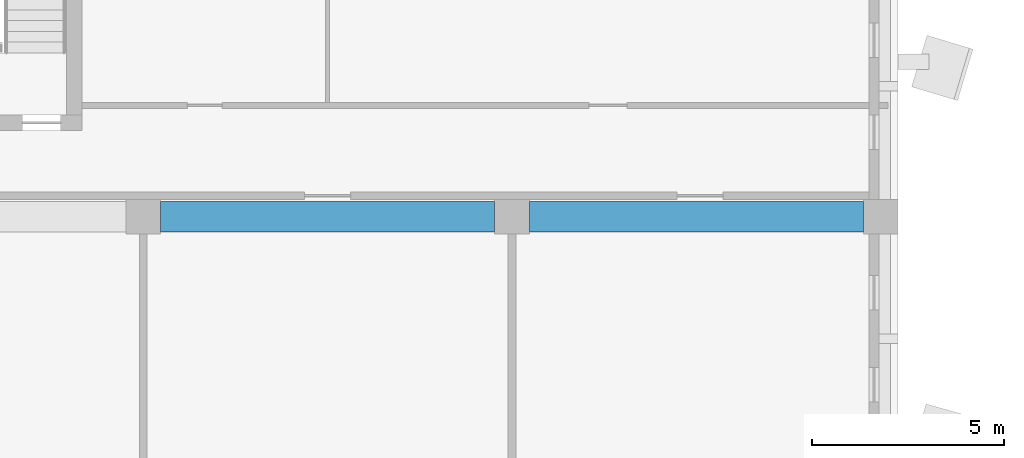
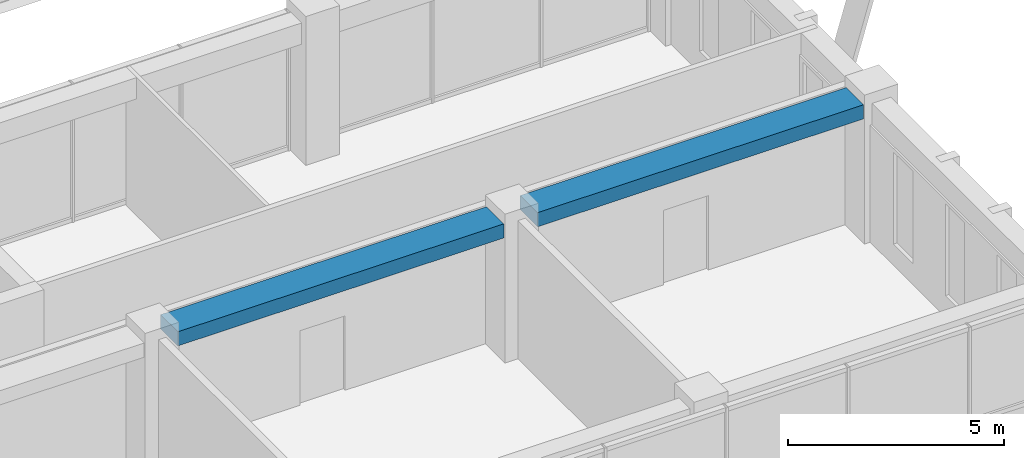
# One storey, part 13 of 36: 2 beams.
"""IFC4 building model written with IfcOpenShell, lengths in metres."""

from ifc_helpers import new_model, si_unit, direction, frame, origin, origin_2d, place, context, subcontext, project, spatial, rectangle, extrude, material, material_profile, profile_set, type_object, element, save


model = new_model("IFC4")

# Units and contexts
model_context = context("Model", 3, precision=1e-05, world=origin(), true_north=direction((0.0, 1.0)))
body_context = subcontext(model_context, "Body", "Model", "MODEL_VIEW")
ifc_project = project(units=[si_unit("LENGTHUNIT", "METRE"), si_unit("AREAUNIT", "SQUARE_METRE"), si_unit("VOLUMEUNIT", "CUBIC_METRE"), si_unit("PLANEANGLEUNIT", "RADIAN"), si_unit("MASSUNIT", "GRAM", prefix="KILO")], contexts=[model_context])

# Site, building, storey
site_placement = place(None, origin())
site = spatial("IfcSite", under=ifc_project, at=site_placement, CompositionType="ELEMENT")
building_placement = place(site_placement, origin())
building = spatial("IfcBuilding", under=site, at=building_placement, Name="Nzadi Deep Aquarium and Research Tower", CompositionType="ELEMENT")
storey_placement = place(building_placement, frame((0.0, 0.0, 36.10009765625)))
storey = spatial("IfcBuildingStorey", under=building, at=storey_placement, Name="L06", CompositionType="ELEMENT", Elevation=36.10009765625)

# Beams
ifc_material = material(Name="Concrete C35/45", Category="concrete")
ifc_material_profile = material_profile(ifc_material, rectangle(XDim=0.800048828125, YDim=0.39990234375, at=origin_2d()))
ifc_profile_set = profile_set([ifc_material_profile], Name="Concrete C35/45")
beam_type = type_object("IfcBeamType", Name="RC 800x400", PredefinedType="BEAM", material=ifc_profile_set)
for number, where, z_axis, x_axis, name in (
    (1, (29.25, 9.199951171875, 3.699951171875), (1.0, 0.0, 0.0), (0.0, 1.0, 0.0), "B-Z1-L06-L2-4"),
    (2, (38.85009765625, 9.199951171875, 3.699951171875), (1.0, 0.0, 0.0), (0.0, 1.0, 0.0), "B-Z1-L06-L2-5"),
):
    element("IfcBeam", number, at=place(storey_placement, frame(where, z_axis=z_axis, x_axis=x_axis)), inside=storey, type_object=beam_type, Name=name, PredefinedType="BEAM", context=body_context, shape_type="SweptSolid", body=[
        extrude(rectangle(XDim=0.800048828125, YDim=0.39990234375, at=origin_2d()), origin(), (0.0, 0.0, 1.0), 8.699951171875),
    ])

save(model, "model.ifc")
